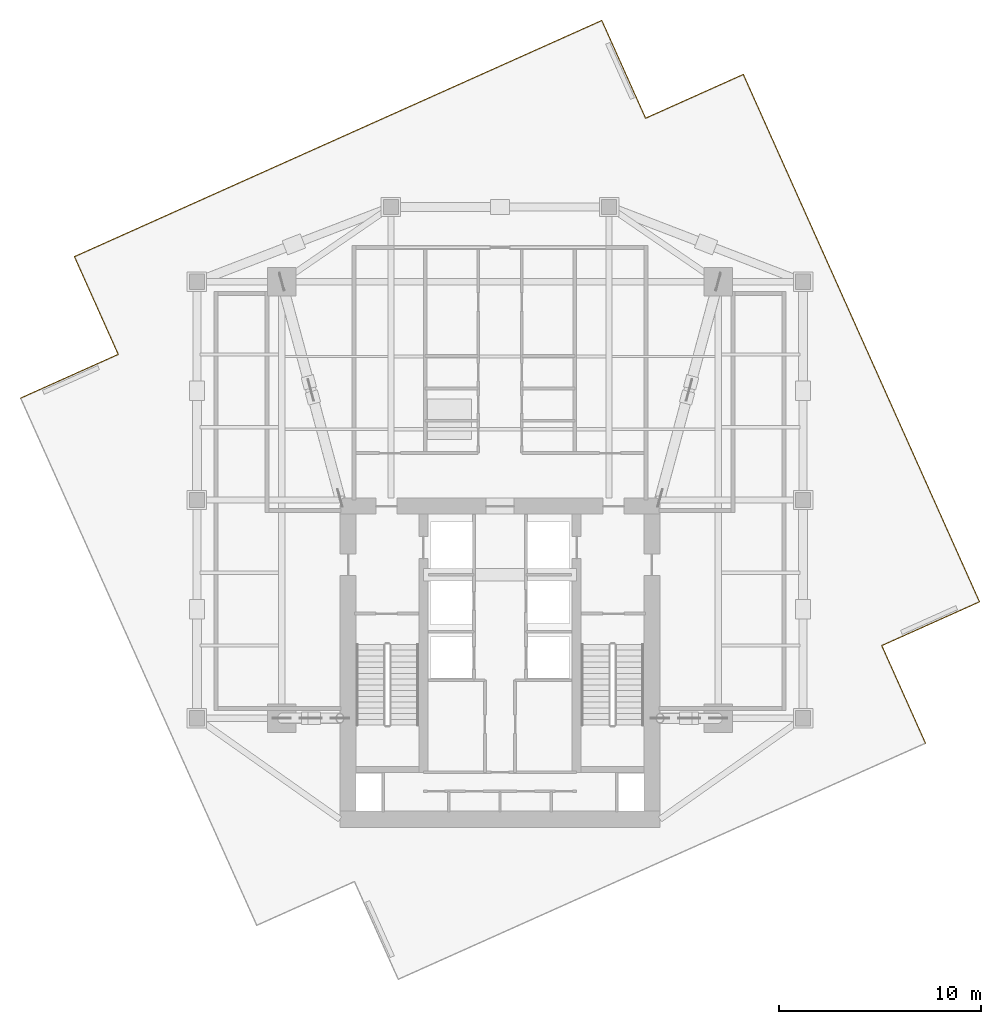
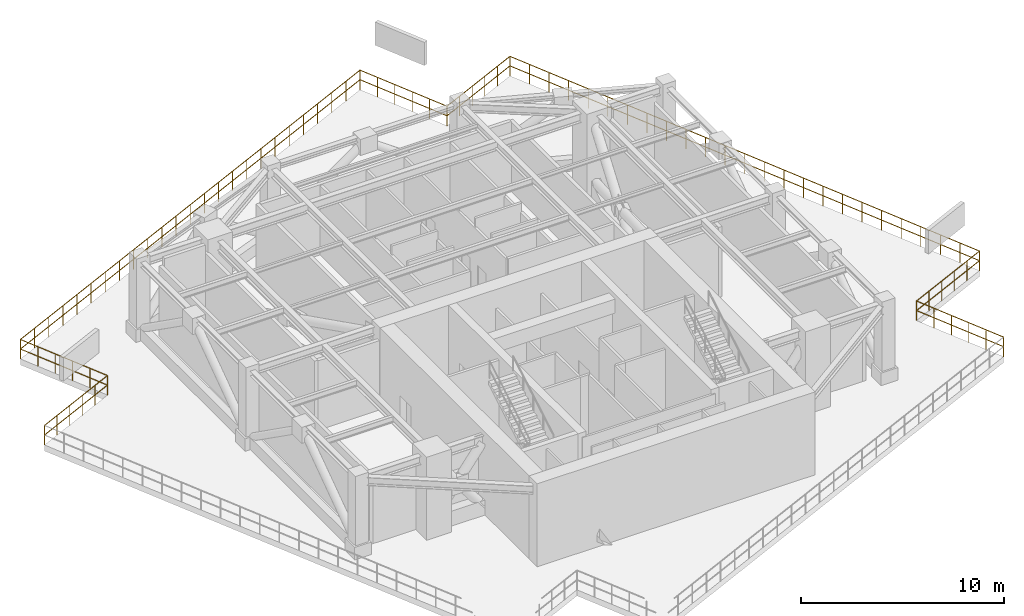
# One storey, part 8 of 8: 8 railings.
"""IFC4 building model written with IfcOpenShell, lengths in metres."""

from ifc_helpers import new_model, si_unit, direction, frame, origin, origin_2d, place, context, subcontext, project, spatial, circle, extrude, material, layer, layer_set, type_object, element, save


model = new_model("IFC4")

# Units and contexts
model_context = context("Model", 3, precision=1e-05, world=origin(), true_north=direction((0.0, 1.0)))
body_context = subcontext(model_context, "Body", "Model", "MODEL_VIEW")
ifc_project = project(units=[si_unit("LENGTHUNIT", "METRE"), si_unit("AREAUNIT", "SQUARE_METRE"), si_unit("VOLUMEUNIT", "CUBIC_METRE"), si_unit("PLANEANGLEUNIT", "RADIAN"), si_unit("MASSUNIT", "GRAM", prefix="KILO")], contexts=[model_context])

# Site, building, storey
site_placement = place(None, origin())
site = spatial("IfcSite", under=ifc_project, at=site_placement, CompositionType="ELEMENT")
building_placement = place(site_placement, origin())
building = spatial("IfcBuilding", under=site, at=building_placement, Name="Krantzveldt Concourse Tower", CompositionType="ELEMENT")
storey_placement = place(building_placement, frame((0.0, 0.0, 318.75)))
storey = spatial("IfcBuildingStorey", under=building, at=storey_placement, Name="L78", CompositionType="ELEMENT", Elevation=318.75)

# Railings
ifc_material = material(Name="Stainless steel 316L", Category="steel")
ifc_layer = layer(ifc_material, 0.080078125, Name="Stainless steel 316L", Category="steel")
ifc_layer_set = layer_set([ifc_layer], Name="Stainless steel 316L (RL-BALUSTRADE-1150)")
railing_type = type_object("IfcRailingType", Name="RL-BALUSTRADE-1150", PredefinedType="BALUSTRADE", material=ifc_layer_set)
railing_1_placement = place(storey_placement, frame((43.2060546875, 45.595703125, 0.0)))
element("IfcRailing", 1, at=railing_1_placement, inside=storey, type_object=railing_type, Name="GD-L78-WIND-01", PredefinedType="BALUSTRADE", context=body_context, shape_type="SweptSolid", body=[
    extrude(circle(Radius=0.02392578125, at=origin_2d()), frame((0.0, 0.0, 1.17578125), z_axis=(-0.408722576808, 0.912658673989, 0.0), x_axis=(-0.912658673989, -0.408722576808, 0.0)), (0.0, 0.0, 1.0), 5.300048828125),
    extrude(circle(Radius=0.02392578125, at=origin_2d()), frame((0.0, 0.0, 0.60009765625), z_axis=(-0.408722576808, 0.912658673989, 0.0), x_axis=(-0.912658673989, -0.408722576808, 0.0)), (0.0, 0.0, 1.0), 5.300048828125),
    extrude(circle(Radius=0.02099609375, at=origin_2d()), origin(), (0.0, 0.0, 1.0), 1.15185546875),
    extrude(circle(Radius=0.02099609375, at=origin_2d()), frame((-0.433349609375, 0.967529296875, 0.0)), (0.0, 0.0, 1.0), 1.15185546875),
    extrude(circle(Radius=0.02099609375, at=origin_2d()), frame((-0.866455078125, 1.934814453125, 0.0)), (0.0, 0.0, 1.0), 1.15185546875),
    extrude(circle(Radius=0.02099609375, at=origin_2d()), frame((-1.2998046875, 2.90234375, 0.0)), (0.0, 0.0, 1.0), 1.15185546875),
    extrude(circle(Radius=0.02099609375, at=origin_2d()), frame((-1.73291015625, 3.86962890625, 0.0)), (0.0, 0.0, 1.0), 1.15185546875),
    extrude(circle(Radius=0.02099609375, at=origin_2d()), frame((-2.166259765625, 4.837158203125, 0.0)), (0.0, 0.0, 1.0), 1.15185546875),
])
railing_2_placement = place(storey_placement, frame((41.039794921875, 50.432861328125, 0.0)))
element("IfcRailing", 2, at=railing_2_placement, inside=storey, type_object=railing_type, Name="GD-L78-WIND-02", PredefinedType="BALUSTRADE", context=body_context, shape_type="SweptSolid", body=[
    extrude(circle(Radius=0.02392578125, at=origin_2d()), frame((0.0, 0.0, 1.17578125), z_axis=(-0.912654301784, -0.408732339601, 0.0), x_axis=(0.408732339601, -0.912654301784, 0.0)), (0.0, 0.0, 1.0), 28.599853515625),
    extrude(circle(Radius=0.02392578125, at=origin_2d()), frame((0.0, 0.0, 0.60009765625), z_axis=(-0.912654301784, -0.408732339601, 0.0), x_axis=(0.408732339601, -0.912654301784, 0.0)), (0.0, 0.0, 1.0), 28.599853515625),
    extrude(circle(Radius=0.02099609375, at=origin_2d()), origin(), (0.0, 0.0, 1.0), 1.15185546875),
    extrude(circle(Radius=0.02099609375, at=origin_2d()), frame((-1.087646484375, -0.487060546875, 0.0)), (0.0, 0.0, 1.0), 1.15185546875),
    extrude(circle(Radius=0.02099609375, at=origin_2d()), frame((-2.175048828125, -0.97412109375, 0.0)), (0.0, 0.0, 1.0), 1.15185546875),
    extrude(circle(Radius=0.02099609375, at=origin_2d()), frame((-3.2626953125, -1.461181640625, 0.0)), (0.0, 0.0, 1.0), 1.15185546875),
    extrude(circle(Radius=0.02099609375, at=origin_2d()), frame((-4.350341796875, -1.9482421875, 0.0)), (0.0, 0.0, 1.0), 1.15185546875),
    extrude(circle(Radius=0.02099609375, at=origin_2d()), frame((-5.43798828125, -2.435302734375, 0.0)), (0.0, 0.0, 1.0), 1.15185546875),
    extrude(circle(Radius=0.02099609375, at=origin_2d()), frame((-6.525390625, -2.92236328125, 0.0)), (0.0, 0.0, 1.0), 1.15185546875),
    extrude(circle(Radius=0.02099609375, at=origin_2d()), frame((-7.613037109375, -3.409423828125, 0.0)), (0.0, 0.0, 1.0), 1.15185546875),
    extrude(circle(Radius=0.02099609375, at=origin_2d()), frame((-8.70068359375, -3.896484375, 0.0)), (0.0, 0.0, 1.0), 1.15185546875),
    extrude(circle(Radius=0.02099609375, at=origin_2d()), frame((-9.7880859375, -4.383544921875, 0.0)), (0.0, 0.0, 1.0), 1.15185546875),
    extrude(circle(Radius=0.02099609375, at=origin_2d()), frame((-10.875732421875, -4.87060546875, 0.0)), (0.0, 0.0, 1.0), 1.15185546875),
    extrude(circle(Radius=0.02099609375, at=origin_2d()), frame((-11.96337890625, -5.357666015625, 0.0)), (0.0, 0.0, 1.0), 1.15185546875),
    extrude(circle(Radius=0.02099609375, at=origin_2d()), frame((-13.05078125, -5.8447265625, 0.0)), (0.0, 0.0, 1.0), 1.15185546875),
    extrude(circle(Radius=0.02099609375, at=origin_2d()), frame((-14.138427734375, -6.33203125, 0.0)), (0.0, 0.0, 1.0), 1.15185546875),
    extrude(circle(Radius=0.02099609375, at=origin_2d()), frame((-15.22607421875, -6.819091796875, 0.0)), (0.0, 0.0, 1.0), 1.15185546875),
    extrude(circle(Radius=0.02099609375, at=origin_2d()), frame((-16.313720703125, -7.30615234375, 0.0)), (0.0, 0.0, 1.0), 1.15185546875),
    extrude(circle(Radius=0.02099609375, at=origin_2d()), frame((-17.401123046875, -7.793212890625, 0.0)), (0.0, 0.0, 1.0), 1.15185546875),
    extrude(circle(Radius=0.02099609375, at=origin_2d()), frame((-18.48876953125, -8.2802734375, 0.0)), (0.0, 0.0, 1.0), 1.15185546875),
    extrude(circle(Radius=0.02099609375, at=origin_2d()), frame((-19.576416015625, -8.767333984375, 0.0)), (0.0, 0.0, 1.0), 1.15185546875),
    extrude(circle(Radius=0.02099609375, at=origin_2d()), frame((-20.663818359375, -9.25439453125, 0.0)), (0.0, 0.0, 1.0), 1.15185546875),
    extrude(circle(Radius=0.02099609375, at=origin_2d()), frame((-21.75146484375, -9.741455078125, 0.0)), (0.0, 0.0, 1.0), 1.15185546875),
    extrude(circle(Radius=0.02099609375, at=origin_2d()), frame((-22.839111328125, -10.228515625, 0.0)), (0.0, 0.0, 1.0), 1.15185546875),
    extrude(circle(Radius=0.02099609375, at=origin_2d()), frame((-23.9267578125, -10.715576171875, 0.0)), (0.0, 0.0, 1.0), 1.15185546875),
    extrude(circle(Radius=0.02099609375, at=origin_2d()), frame((-25.01416015625, -11.20263671875, 0.0)), (0.0, 0.0, 1.0), 1.15185546875),
    extrude(circle(Radius=0.02099609375, at=origin_2d()), frame((-26.101806640625, -11.689697265625, 0.0)), (0.0, 0.0, 1.0), 1.15185546875),
])
railing_3_placement = place(storey_placement, frame((14.93798828125, 38.7431640625, 0.0)))
element("IfcRailing", 3, at=railing_3_placement, inside=storey, type_object=railing_type, Name="GD-L78-WIND-03", PredefinedType="BALUSTRADE", context=body_context, shape_type="SweptSolid", body=[
    extrude(circle(Radius=0.02392578125, at=origin_2d()), frame((0.0, 0.0, 1.17578125), z_axis=(0.408739760307, -0.912650978384, 0.0), x_axis=(0.912650978384, 0.408739760307, 0.0)), (0.0, 0.0, 1.0), 5.2998046875),
    extrude(circle(Radius=0.02392578125, at=origin_2d()), frame((0.0, 0.0, 0.60009765625), z_axis=(0.408739760307, -0.912650978384, 0.0), x_axis=(0.912650978384, 0.408739760307, 0.0)), (0.0, 0.0, 1.0), 5.2998046875),
    extrude(circle(Radius=0.02099609375, at=origin_2d()), origin(), (0.0, 0.0, 1.0), 1.15185546875),
    extrude(circle(Radius=0.02099609375, at=origin_2d()), frame((0.433349609375, -0.96728515625, 0.0)), (0.0, 0.0, 1.0), 1.15185546875),
    extrude(circle(Radius=0.02099609375, at=origin_2d()), frame((0.866455078125, -1.934814453125, 0.0)), (0.0, 0.0, 1.0), 1.15185546875),
    extrude(circle(Radius=0.02099609375, at=origin_2d()), frame((1.2998046875, -2.902099609375, 0.0)), (0.0, 0.0, 1.0), 1.15185546875),
    extrude(circle(Radius=0.02099609375, at=origin_2d()), frame((1.73291015625, -3.86962890625, 0.0)), (0.0, 0.0, 1.0), 1.15185546875),
    extrude(circle(Radius=0.02099609375, at=origin_2d()), frame((2.166259765625, -4.8369140625, 0.0)), (0.0, 0.0, 1.0), 1.15185546875),
])
railing_4_placement = place(storey_placement, frame((17.104248046875, 33.90625, 0.0)))
element("IfcRailing", 4, at=railing_4_placement, inside=storey, type_object=railing_type, Name="GD-L78-WIND-04", PredefinedType="BALUSTRADE", context=body_context, shape_type="SweptSolid", body=[
    extrude(circle(Radius=0.02392578125, at=origin_2d()), frame((0.0, 0.0, 1.17578125), z_axis=(-0.912658673989, -0.408722576808, 0.0), x_axis=(0.408722576808, -0.912658673989, 0.0)), (0.0, 0.0, 1.0), 5.300048828125),
    extrude(circle(Radius=0.02392578125, at=origin_2d()), frame((0.0, 0.0, 0.60009765625), z_axis=(-0.912658673989, -0.408722576808, 0.0), x_axis=(0.408722576808, -0.912658673989, 0.0)), (0.0, 0.0, 1.0), 5.300048828125),
    extrude(circle(Radius=0.02099609375, at=origin_2d()), origin(), (0.0, 0.0, 1.0), 1.15185546875),
    extrude(circle(Radius=0.02099609375, at=origin_2d()), frame((-0.967529296875, -0.433349609375, 0.0)), (0.0, 0.0, 1.0), 1.15185546875),
    extrude(circle(Radius=0.02099609375, at=origin_2d()), frame((-1.934814453125, -0.866455078125, 0.0)), (0.0, 0.0, 1.0), 1.15185546875),
    extrude(circle(Radius=0.02099609375, at=origin_2d()), frame((-2.90234375, -1.2998046875, 0.0)), (0.0, 0.0, 1.0), 1.15185546875),
    extrude(circle(Radius=0.02099609375, at=origin_2d()), frame((-3.86962890625, -1.73291015625, 0.0)), (0.0, 0.0, 1.0), 1.15185546875),
    extrude(circle(Radius=0.02099609375, at=origin_2d()), frame((-4.837158203125, -2.166259765625, 0.0)), (0.0, 0.0, 1.0), 1.15185546875),
])
railing_5_placement = place(storey_placement, frame((57.06201171875, 14.65673828125, 0.0)))
element("IfcRailing", 5, at=railing_5_placement, inside=storey, type_object=railing_type, Name="GD-L78-WIND-09", PredefinedType="BALUSTRADE", context=body_context, shape_type="SweptSolid", body=[
    extrude(circle(Radius=0.02392578125, at=origin_2d()), frame((0.0, 0.0, 1.17578125), z_axis=(-0.408722576808, 0.912658673989, 0.0), x_axis=(-0.912658673989, -0.408722576808, 0.0)), (0.0, 0.0, 1.0), 5.300048828125),
    extrude(circle(Radius=0.02392578125, at=origin_2d()), frame((0.0, 0.0, 0.60009765625), z_axis=(-0.408722576808, 0.912658673989, 0.0), x_axis=(-0.912658673989, -0.408722576808, 0.0)), (0.0, 0.0, 1.0), 5.300048828125),
    extrude(circle(Radius=0.02099609375, at=origin_2d()), origin(), (0.0, 0.0, 1.0), 1.15185546875),
    extrude(circle(Radius=0.02099609375, at=origin_2d()), frame((-0.433349609375, 0.967529296875, 0.0)), (0.0, 0.0, 1.0), 1.15185546875),
    extrude(circle(Radius=0.02099609375, at=origin_2d()), frame((-0.866455078125, 1.934814453125, 0.0)), (0.0, 0.0, 1.0), 1.15185546875),
    extrude(circle(Radius=0.02099609375, at=origin_2d()), frame((-1.2998046875, 2.90234375, 0.0)), (0.0, 0.0, 1.0), 1.15185546875),
    extrude(circle(Radius=0.02099609375, at=origin_2d()), frame((-1.73291015625, 3.86962890625, 0.0)), (0.0, 0.0, 1.0), 1.15185546875),
    extrude(circle(Radius=0.02099609375, at=origin_2d()), frame((-2.166259765625, 4.837158203125, 0.0)), (0.0, 0.0, 1.0), 1.15185546875),
])
railing_6_placement = place(storey_placement, frame((54.895751953125, 19.493896484375, 0.0)))
element("IfcRailing", 6, at=railing_6_placement, inside=storey, type_object=railing_type, Name="GD-L78-WIND-10", PredefinedType="BALUSTRADE", context=body_context, shape_type="SweptSolid", body=[
    extrude(circle(Radius=0.02392578125, at=origin_2d()), frame((0.0, 0.0, 1.17578125), z_axis=(0.912658673989, 0.408722576808, 0.0), x_axis=(-0.408722576808, 0.912658673989, 0.0)), (0.0, 0.0, 1.0), 5.300048828125),
    extrude(circle(Radius=0.02392578125, at=origin_2d()), frame((0.0, 0.0, 0.60009765625), z_axis=(0.912658673989, 0.408722576808, 0.0), x_axis=(-0.408722576808, 0.912658673989, 0.0)), (0.0, 0.0, 1.0), 5.300048828125),
    extrude(circle(Radius=0.02099609375, at=origin_2d()), origin(), (0.0, 0.0, 1.0), 1.15185546875),
    extrude(circle(Radius=0.02099609375, at=origin_2d()), frame((0.967529296875, 0.433349609375, 0.0)), (0.0, 0.0, 1.0), 1.15185546875),
    extrude(circle(Radius=0.02099609375, at=origin_2d()), frame((1.934814453125, 0.866455078125, 0.0)), (0.0, 0.0, 1.0), 1.15185546875),
    extrude(circle(Radius=0.02099609375, at=origin_2d()), frame((2.90234375, 1.2998046875, 0.0)), (0.0, 0.0, 1.0), 1.15185546875),
    extrude(circle(Radius=0.02099609375, at=origin_2d()), frame((3.86962890625, 1.73291015625, 0.0)), (0.0, 0.0, 1.0), 1.15185546875),
    extrude(circle(Radius=0.02099609375, at=origin_2d()), frame((4.837158203125, 2.166259765625, 0.0)), (0.0, 0.0, 1.0), 1.15185546875),
])
railing_7_placement = place(storey_placement, frame((59.73291015625, 21.66015625, 0.0)))
element("IfcRailing", 7, at=railing_7_placement, inside=storey, type_object=railing_type, Name="GD-L78-WIND-11", PredefinedType="BALUSTRADE", context=body_context, shape_type="SweptSolid", body=[
    extrude(circle(Radius=0.02392578125, at=origin_2d()), frame((0.0, 0.0, 1.17578125), z_axis=(-0.408732339601, 0.912654301784, 0.0), x_axis=(-0.912654301784, -0.408732339601, 0.0)), (0.0, 0.0, 1.0), 28.599853515625),
    extrude(circle(Radius=0.02392578125, at=origin_2d()), frame((0.0, 0.0, 0.60009765625), z_axis=(-0.408732339601, 0.912654301784, 0.0), x_axis=(-0.912654301784, -0.408732339601, 0.0)), (0.0, 0.0, 1.0), 28.599853515625),
    extrude(circle(Radius=0.02099609375, at=origin_2d()), origin(), (0.0, 0.0, 1.0), 1.15185546875),
    extrude(circle(Radius=0.02099609375, at=origin_2d()), frame((-0.487060546875, 1.087646484375, 0.0)), (0.0, 0.0, 1.0), 1.15185546875),
    extrude(circle(Radius=0.02099609375, at=origin_2d()), frame((-0.97412109375, 2.175048828125, 0.0)), (0.0, 0.0, 1.0), 1.15185546875),
    extrude(circle(Radius=0.02099609375, at=origin_2d()), frame((-1.461181640625, 3.2626953125, 0.0)), (0.0, 0.0, 1.0), 1.15185546875),
    extrude(circle(Radius=0.02099609375, at=origin_2d()), frame((-1.9482421875, 4.350341796875, 0.0)), (0.0, 0.0, 1.0), 1.15185546875),
    extrude(circle(Radius=0.02099609375, at=origin_2d()), frame((-2.435302734375, 5.43798828125, 0.0)), (0.0, 0.0, 1.0), 1.15185546875),
    extrude(circle(Radius=0.02099609375, at=origin_2d()), frame((-2.92236328125, 6.525390625, 0.0)), (0.0, 0.0, 1.0), 1.15185546875),
    extrude(circle(Radius=0.02099609375, at=origin_2d()), frame((-3.409423828125, 7.613037109375, 0.0)), (0.0, 0.0, 1.0), 1.15185546875),
    extrude(circle(Radius=0.02099609375, at=origin_2d()), frame((-3.896484375, 8.70068359375, 0.0)), (0.0, 0.0, 1.0), 1.15185546875),
    extrude(circle(Radius=0.02099609375, at=origin_2d()), frame((-4.383544921875, 9.7880859375, 0.0)), (0.0, 0.0, 1.0), 1.15185546875),
    extrude(circle(Radius=0.02099609375, at=origin_2d()), frame((-4.87060546875, 10.875732421875, 0.0)), (0.0, 0.0, 1.0), 1.15185546875),
    extrude(circle(Radius=0.02099609375, at=origin_2d()), frame((-5.357666015625, 11.96337890625, 0.0)), (0.0, 0.0, 1.0), 1.15185546875),
    extrude(circle(Radius=0.02099609375, at=origin_2d()), frame((-5.8447265625, 13.05078125, 0.0)), (0.0, 0.0, 1.0), 1.15185546875),
    extrude(circle(Radius=0.02099609375, at=origin_2d()), frame((-6.33203125, 14.138427734375, 0.0)), (0.0, 0.0, 1.0), 1.15185546875),
    extrude(circle(Radius=0.02099609375, at=origin_2d()), frame((-6.819091796875, 15.22607421875, 0.0)), (0.0, 0.0, 1.0), 1.15185546875),
    extrude(circle(Radius=0.02099609375, at=origin_2d()), frame((-7.30615234375, 16.313720703125, 0.0)), (0.0, 0.0, 1.0), 1.15185546875),
    extrude(circle(Radius=0.02099609375, at=origin_2d()), frame((-7.793212890625, 17.401123046875, 0.0)), (0.0, 0.0, 1.0), 1.15185546875),
    extrude(circle(Radius=0.02099609375, at=origin_2d()), frame((-8.2802734375, 18.48876953125, 0.0)), (0.0, 0.0, 1.0), 1.15185546875),
    extrude(circle(Radius=0.02099609375, at=origin_2d()), frame((-8.767333984375, 19.576416015625, 0.0)), (0.0, 0.0, 1.0), 1.15185546875),
    extrude(circle(Radius=0.02099609375, at=origin_2d()), frame((-9.25439453125, 20.663818359375, 0.0)), (0.0, 0.0, 1.0), 1.15185546875),
    extrude(circle(Radius=0.02099609375, at=origin_2d()), frame((-9.741455078125, 21.75146484375, 0.0)), (0.0, 0.0, 1.0), 1.15185546875),
    extrude(circle(Radius=0.02099609375, at=origin_2d()), frame((-10.228515625, 22.839111328125, 0.0)), (0.0, 0.0, 1.0), 1.15185546875),
    extrude(circle(Radius=0.02099609375, at=origin_2d()), frame((-10.715576171875, 23.9267578125, 0.0)), (0.0, 0.0, 1.0), 1.15185546875),
    extrude(circle(Radius=0.02099609375, at=origin_2d()), frame((-11.20263671875, 25.01416015625, 0.0)), (0.0, 0.0, 1.0), 1.15185546875),
    extrude(circle(Radius=0.02099609375, at=origin_2d()), frame((-11.689697265625, 26.101806640625, 0.0)), (0.0, 0.0, 1.0), 1.15185546875),
])
railing_8_placement = place(storey_placement, frame((48.043212890625, 47.761962890625, 0.0)))
element("IfcRailing", 8, at=railing_8_placement, inside=storey, type_object=railing_type, Name="GD-L78-WIND-12", PredefinedType="BALUSTRADE", context=body_context, shape_type="SweptSolid", body=[
    extrude(circle(Radius=0.02392578125, at=origin_2d()), frame((0.0, 0.0, 1.17578125), z_axis=(-0.912658673989, -0.408722576808, 0.0), x_axis=(0.408722576808, -0.912658673989, 0.0)), (0.0, 0.0, 1.0), 5.300048828125),
    extrude(circle(Radius=0.02392578125, at=origin_2d()), frame((0.0, 0.0, 0.60009765625), z_axis=(-0.912658673989, -0.408722576808, 0.0), x_axis=(0.408722576808, -0.912658673989, 0.0)), (0.0, 0.0, 1.0), 5.300048828125),
    extrude(circle(Radius=0.02099609375, at=origin_2d()), origin(), (0.0, 0.0, 1.0), 1.15185546875),
    extrude(circle(Radius=0.02099609375, at=origin_2d()), frame((-0.967529296875, -0.433349609375, 0.0)), (0.0, 0.0, 1.0), 1.15185546875),
    extrude(circle(Radius=0.02099609375, at=origin_2d()), frame((-1.934814453125, -0.866455078125, 0.0)), (0.0, 0.0, 1.0), 1.15185546875),
    extrude(circle(Radius=0.02099609375, at=origin_2d()), frame((-2.90234375, -1.2998046875, 0.0)), (0.0, 0.0, 1.0), 1.15185546875),
    extrude(circle(Radius=0.02099609375, at=origin_2d()), frame((-3.86962890625, -1.73291015625, 0.0)), (0.0, 0.0, 1.0), 1.15185546875),
    extrude(circle(Radius=0.02099609375, at=origin_2d()), frame((-4.837158203125, -2.166259765625, 0.0)), (0.0, 0.0, 1.0), 1.15185546875),
])

save(model, "model.ifc")
